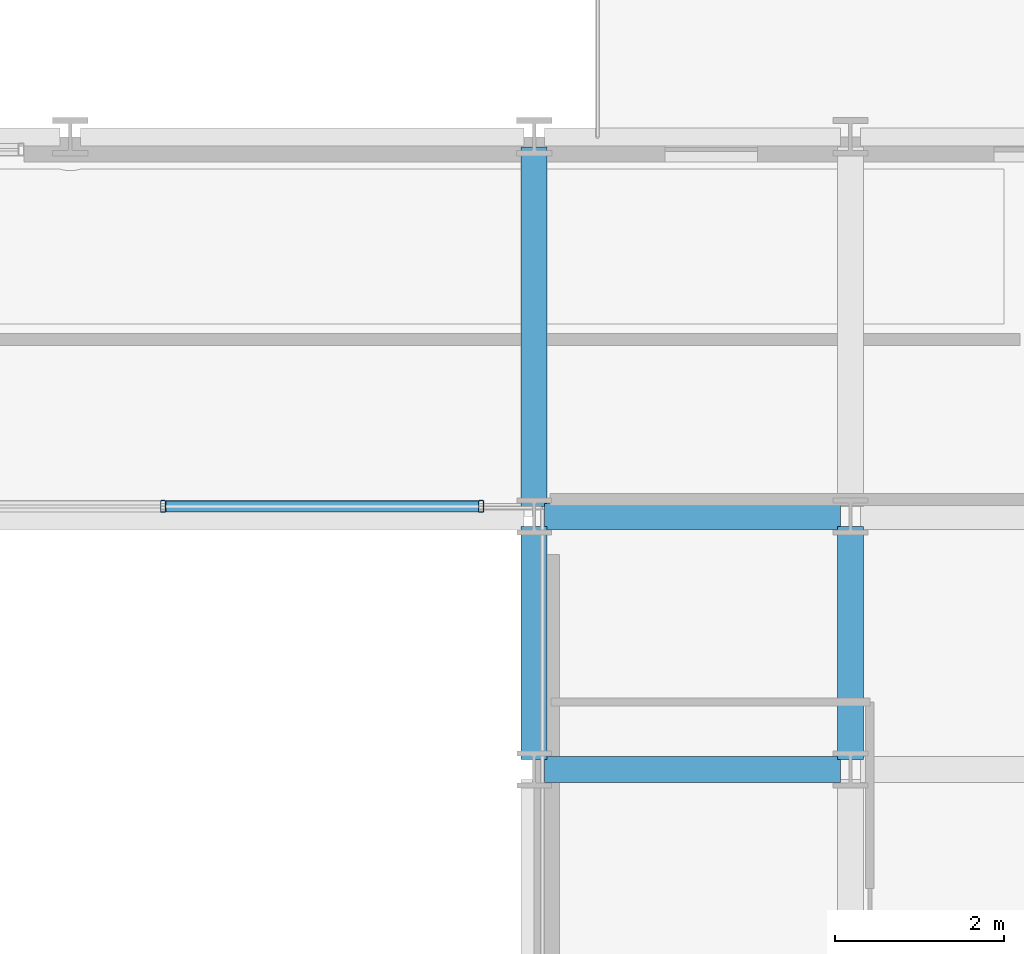
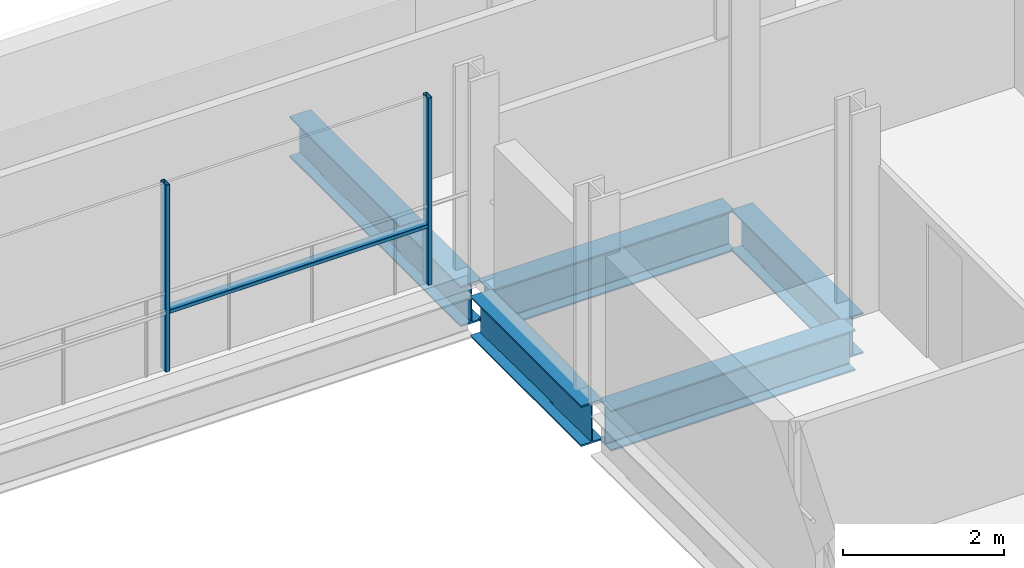
# One storey, part 17 of 41: 5 beams, 3 members, 1 element without a shape of its own.
"""IFC4 building model written with IfcOpenShell, lengths in metres."""

from ifc_helpers import new_model, si_unit, direction, frame, origin, origin_2d, place, context, subcontext, project, spatial, hollow_rectangle, i_section, extrude, material, layer, layer_set, material_profile, profile_set, type_object, element, aggregate, save


model = new_model("IFC4")

# Units and contexts
model_context = context("Model", 3, precision=1e-05, world=origin(), true_north=direction((0.0, 1.0)))
body_context = subcontext(model_context, "Body", "Model", "MODEL_VIEW")
ifc_project = project(units=[si_unit("LENGTHUNIT", "METRE"), si_unit("AREAUNIT", "SQUARE_METRE"), si_unit("VOLUMEUNIT", "CUBIC_METRE"), si_unit("PLANEANGLEUNIT", "RADIAN"), si_unit("MASSUNIT", "GRAM", prefix="KILO")], contexts=[model_context])

# Site, building, storey
site_placement = place(None, origin())
site = spatial("IfcSite", under=ifc_project, at=site_placement, CompositionType="ELEMENT")
building_placement = place(site_placement, origin())
building = spatial("IfcBuilding", under=site, at=building_placement, Name="Brevholm Reach", CompositionType="ELEMENT")
storey_placement = place(building_placement, frame((0.0, 0.0, 93.10009765625)))
storey = spatial("IfcBuildingStorey", under=building, at=storey_placement, Name="L27", CompositionType="ELEMENT", Elevation=93.10009765625)

# Beams
ifc_material_1 = material(Name="Structural Steel S355J2", Category="steel")
ifc_material_profile_1 = material_profile(ifc_material_1, i_section(OverallWidth=0.30712890625, OverallDepth=0.6201171875, WebThickness=0.01416015625, FlangeThickness=0.023681640625, FilletRadius=0.0166015625, at=origin_2d()), Name="UKB 610x305x179")
ifc_profile_set_1 = profile_set([ifc_material_profile_1], Name="Structural Steel S355J2")
beam_type = type_object("IfcBeamType", Name="BM-UKB610H", PredefinedType="USERDEFINED", material=ifc_profile_set_1)
for number, where, z_axis, x_axis, name in (
    (1, (38.3701171875, 23.5, -0.540283203125), (1.0, 0.0, 0.0), (0.0, 1.0, 0.0), "L27 G-06 Framing Beam"),
    (2, (38.3701171875, 26.5, -0.540283203125), (1.0, 0.0, 0.0), (0.0, 1.0, 0.0), "L27 G-06 Framing Beam"),
):
    element("IfcBeam", number, at=place(storey_placement, frame(where, z_axis=z_axis, x_axis=x_axis)), inside=storey, type_object=beam_type, Name=name, ObjectType="GIRDER", PredefinedType="USERDEFINED", context=body_context, shape_type="SweptSolid", body=[
        extrude(i_section(OverallWidth=0.30712890625, OverallDepth=0.6201171875, WebThickness=0.01416015625, FlangeThickness=0.023681640625, FilletRadius=0.0166015625, at=origin_2d()), origin(), (0.0, 0.0, 1.0), 3.509765625),
    ])
beam_1_placement = place(storey_placement, frame((38.25, 23.6201171875, -0.540283203125), z_axis=(0.0, 1.0, 0.0), x_axis=(-1.0, 0.0, 0.0)))
element("IfcBeam", 3, at=beam_1_placement, inside=storey, type_object=beam_type, Name="L27 G-06 Framing Beam", ObjectType="GIRDER", PredefinedType="USERDEFINED", context=body_context, shape_type="SweptSolid", body=[
    extrude(i_section(OverallWidth=0.30712890625, OverallDepth=0.6201171875, WebThickness=0.01416015625, FlangeThickness=0.023681640625, FilletRadius=0.0166015625, at=origin_2d()), origin(), (0.0, 0.0, 1.0), 2.759765625),
])
beam_2_placement = place(storey_placement, frame((38.25, 26.6201171875, -0.540283203125), z_axis=(0.0, 1.0, 0.0), x_axis=(-1.0, 0.0, 0.0)))
element("IfcBeam", 4, at=beam_2_placement, inside=storey, type_object=beam_type, Name="L27 G-06 Framing Beam", ObjectType="GIRDER", PredefinedType="USERDEFINED", context=body_context, shape_type="SweptSolid", body=[
    extrude(i_section(OverallWidth=0.30712890625, OverallDepth=0.6201171875, WebThickness=0.01416015625, FlangeThickness=0.023681640625, FilletRadius=0.0166015625, at=origin_2d()), origin(), (0.0, 0.0, 1.0), 4.259765625),
])
beam_3_placement = place(storey_placement, frame((42.0, 23.6201171875, -0.540283203125), z_axis=(0.0, 1.0, 0.0), x_axis=(-1.0, 0.0, 0.0)))
element("IfcBeam", 5, at=beam_3_placement, inside=storey, type_object=beam_type, Name="L27 G-06 Framing Beam", ObjectType="GIRDER", PredefinedType="USERDEFINED", context=body_context, shape_type="SweptSolid", body=[
    extrude(i_section(OverallWidth=0.30712890625, OverallDepth=0.6201171875, WebThickness=0.01416015625, FlangeThickness=0.023681640625, FilletRadius=0.0166015625, at=origin_2d()), origin(), (0.0, 0.0, 1.0), 2.759765625),
])

# Curtain wall, members
ifc_material_2 = material(Name="Dark Anodised Aluminium 6063-T6 and Solar-Control Glass", Category="aluminium")
ifc_layer = layer(ifc_material_2, 0.139892578125)
ifc_layer_set = layer_set([ifc_layer], Name="Dark Anodised Aluminium 6063-T6 and Solar-Control Glass")
curtain_wall_type = type_object("IfcCurtainWallType", Name="CW-02", PredefinedType="NOTDEFINED", material=ifc_layer_set)
curtain_wall_placement = place(storey_placement, origin())
curtain_wall = element("IfcCurtainWall", 6, at=curtain_wall_placement, inside=storey, type_object=curtain_wall_type, Name="L27 Curtain Wall CW-02", PredefinedType="NOTDEFINED")
ifc_material_3 = material(Name="Dark Anodised Aluminium 6063-T6", Category="aluminium")
ifc_material_profile_2 = material_profile(ifc_material_3, hollow_rectangle(XDim=0.06005859375, YDim=0.139892578125, WallThickness=0.0048828125, InnerFilletRadius=0.0048828125, OuterFilletRadius=0.010009765625, at=origin_2d()), Name="RHS 140x60x5")
ifc_profile_set_2 = profile_set([ifc_material_profile_2], Name="Dark Anodised Aluminium 6063-T6")
member_type_1 = type_object("IfcMemberType", Name="CWM-140", PredefinedType="MULLION", material=ifc_profile_set_2)
member_1_placement = place(storey_placement, frame((37.6201171875, 26.6201171875, 0.0), z_axis=(0.0, 0.0, 1.0), x_axis=(-1.0, 0.0, 0.0)))
member_1 = element("IfcMember", 7, at=member_1_placement, type_object=member_type_1, Name="CM-140 Mullion 1", PredefinedType="MULLION", context=body_context, shape_type="SweptSolid", body=[
    extrude(hollow_rectangle(XDim=0.06005859375, YDim=0.139892578125, WallThickness=0.0048828125, InnerFilletRadius=0.0048828125, OuterFilletRadius=0.010009765625, at=origin_2d()), origin(), (0.0, 0.0, 1.0), 2.83984375),
])
member_2_placement = place(storey_placement, frame((33.85009765625, 26.6201171875, 0.0), z_axis=(0.0, 0.0, 1.0), x_axis=(-1.0, 0.0, 0.0)))
member_2 = element("IfcMember", 8, at=member_2_placement, type_object=member_type_1, Name="CM-140 Mullion 2", PredefinedType="MULLION", context=body_context, shape_type="SweptSolid", body=[
    extrude(hollow_rectangle(XDim=0.06005859375, YDim=0.139892578125, WallThickness=0.0048828125, InnerFilletRadius=0.0048828125, OuterFilletRadius=0.010009765625, at=origin_2d()), origin(), (0.0, 0.0, 1.0), 2.83984375),
])
ifc_material_4 = material(Name="Dark Anodised Aluminium 6063-T6", Category="aluminium")
ifc_material_profile_3 = material_profile(ifc_material_4, hollow_rectangle(XDim=0.06005859375, YDim=0.139892578125, WallThickness=0.0048828125, InnerFilletRadius=0.0048828125, OuterFilletRadius=0.010009765625, at=origin_2d()), Name="RHS 140x60x5")
ifc_profile_set_3 = profile_set([ifc_material_profile_3], Name="Dark Anodised Aluminium 6063-T6")
member_type_2 = type_object("IfcMemberType", Name="CWT-140", PredefinedType="NOTDEFINED", material=ifc_profile_set_3)
member_3_placement = place(storey_placement, frame((37.590087890625, 26.6201171875, 0.89990234375), z_axis=(-1.0, 0.0, 0.0), x_axis=(0.0, 0.0, 1.0)))
member_3 = element("IfcMember", 9, at=member_3_placement, type_object=member_type_2, Name="CT-140 Transom 1.1", ObjectType="TRANSOM", PredefinedType="USERDEFINED", context=body_context, shape_type="SweptSolid", body=[
    extrude(hollow_rectangle(XDim=0.06005859375, YDim=0.139892578125, WallThickness=0.0048828125, InnerFilletRadius=0.0048828125, OuterFilletRadius=0.010009765625, at=origin_2d()), origin(), (0.0, 0.0, 1.0), 3.710205078125),
])
aggregate(curtain_wall, [member_1, member_2, member_3])

save(model, "model.ifc")
